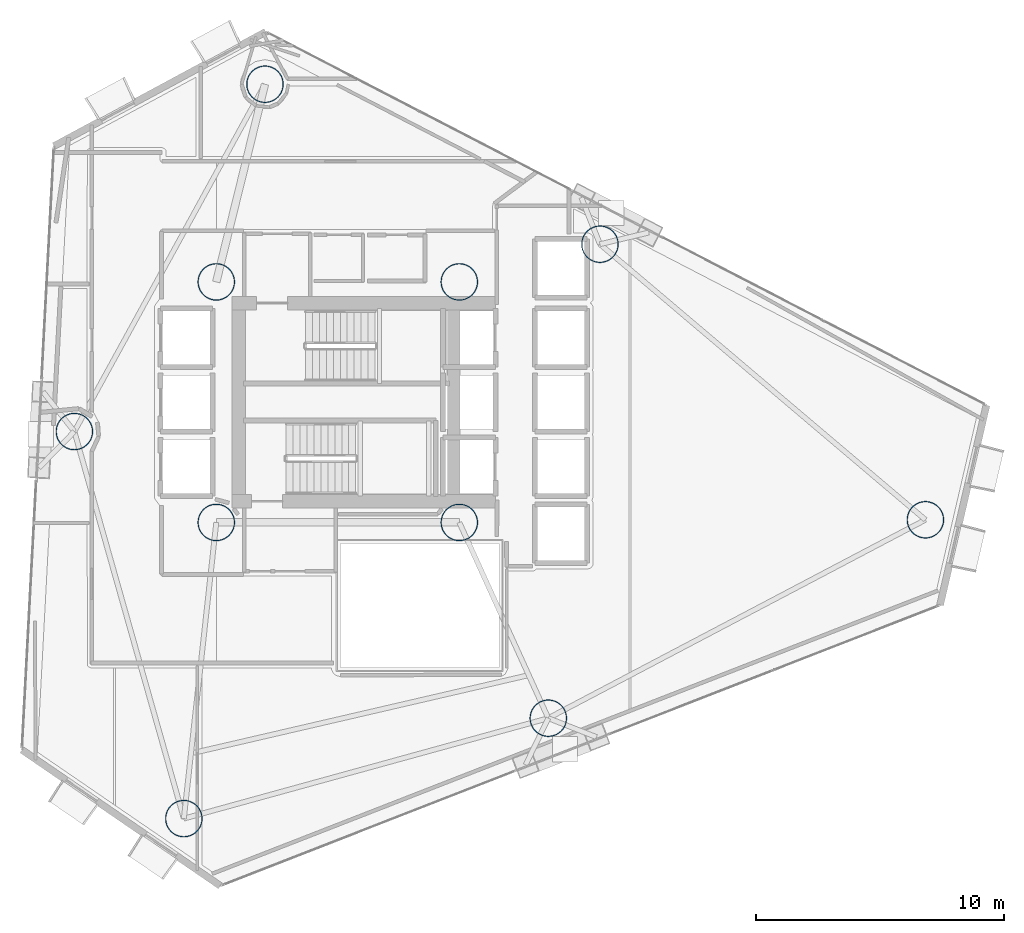
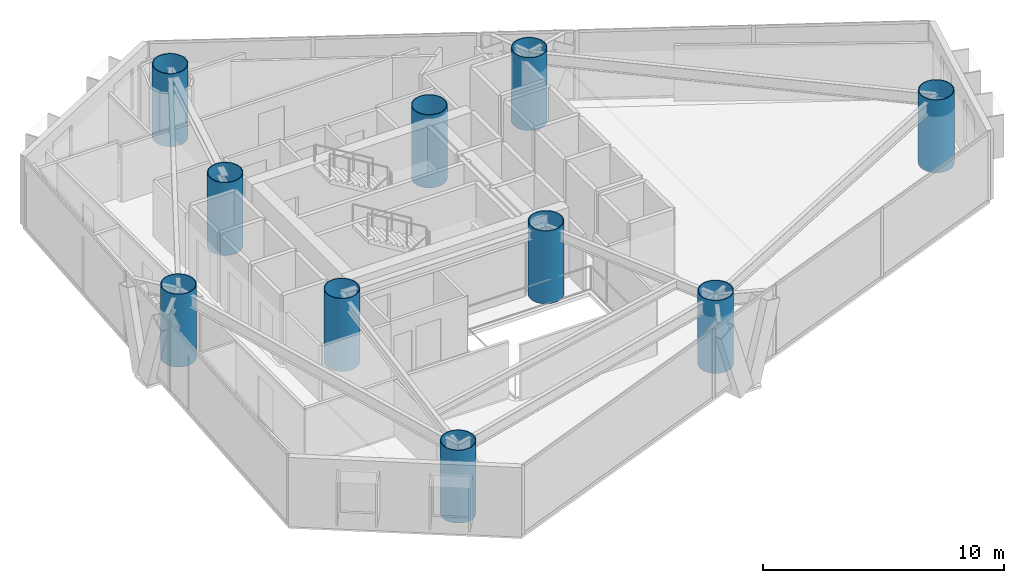
# One storey, part 1 of 21: 10 columns.
"""IFC4 building model written with IfcOpenShell, lengths in metres."""

from ifc_helpers import new_model, si_unit, direction, frame, origin, origin_2d, place, context, subcontext, project, spatial, hollow_circle, extrude, material, material_profile, profile_set, type_object, element, save


model = new_model("IFC4")

# Units and contexts
model_context = context("Model", 3, precision=1e-05, world=origin(), true_north=direction((0.0, 1.0)))
body_context = subcontext(model_context, "Body", "Model", "MODEL_VIEW")
ifc_project = project(units=[si_unit("LENGTHUNIT", "METRE"), si_unit("AREAUNIT", "SQUARE_METRE"), si_unit("VOLUMEUNIT", "CUBIC_METRE"), si_unit("PLANEANGLEUNIT", "RADIAN"), si_unit("MASSUNIT", "GRAM", prefix="KILO")], contexts=[model_context])

# Site, building, storey
site_placement = place(None, origin())
site = spatial("IfcSite", under=ifc_project, at=site_placement, CompositionType="ELEMENT")
building_placement = place(site_placement, origin())
building = spatial("IfcBuilding", under=site, at=building_placement, Name="Qianvela Tower", CompositionType="ELEMENT")
storey_placement = place(building_placement, frame((0.0, 0.0, 131.10009765625)))
storey = spatial("IfcBuildingStorey", under=building, at=storey_placement, Name="L33", CompositionType="ELEMENT", Elevation=131.10009765625)

# Columns
ifc_material = material(Name="Steel Q420GJC", Category="steel")
ifc_material_profile = material_profile(ifc_material, hollow_circle(Radius=0.75, WallThickness=0.035888671875, at=origin_2d()), Name="CFT-1500x36")
ifc_profile_set = profile_set([ifc_material_profile], Name="Steel Q420GJC")
column_type = type_object("IfcColumnType", Name="COL-CFT-1500x36", PredefinedType="COLUMN", material=ifc_profile_set)
for number, where, z_axis, x_axis, name in (
    (1, (28.60009765625, 33.550048828125, 0.0), (0.0, 0.0, 1.0), (1.0, 0.0, 0.0), "L33 Core Corner Mega-Column CC-NW"),
    (2, (28.60009765625, 23.85009765625, 0.0), (0.0, 0.0, 1.0), (1.0, 0.0, 0.0), "L33 Core Corner Mega-Column CC-SW"),
    (3, (38.39990234375, 33.550048828125, 0.0), (0.0, 0.0, 1.0), (1.0, 0.0, 0.0), "L33 Core Corner Mega-Column CC-NE"),
    (4, (38.39990234375, 23.85009765625, 0.0), (0.0, 0.0, 1.0), (1.0, 0.0, 0.0), "L33 Core Corner Mega-Column CC-SE"),
    (5, (57.194091796875, 23.9580078125, 0.0), (0.0, 0.0, 1.0), (1.0, 0.0, 0.0), "L33 Zone Z3 CFT Mega-Column C1"),
    (6, (44.071044921875, 35.070068359375, 0.0), (0.0, 0.0, 1.0), (1.0, 0.0, 0.0), "L33 Zone Z3 CFT Mega-Column C2"),
    (7, (30.56396484375, 41.52099609375, 0.0), (0.0, 0.0, 1.0), (1.0, 0.0, 0.0), "L33 Zone Z3 CFT Mega-Column C3"),
    (8, (22.8779296875, 27.51611328125, 0.0), (0.0, 0.0, 1.0), (1.0, 0.0, 0.0), "L33 Zone Z3 CFT Mega-Column C4"),
    (9, (27.2919921875, 11.908935546875, 0.0), (0.0, 0.0, 1.0), (1.0, 0.0, 0.0), "L33 Zone Z3 CFT Mega-Column C5"),
    (10, (41.988037109375, 15.95703125, 0.0), (0.0, 0.0, 1.0), (1.0, 0.0, 0.0), "L33 Zone Z3 CFT Mega-Column C6"),
):
    element("IfcColumn", number, at=place(storey_placement, frame(where, z_axis=z_axis, x_axis=x_axis)), inside=storey, type_object=column_type, Name=name, PredefinedType="COLUMN", context=body_context, shape_type="SweptSolid", body=[
        extrude(hollow_circle(Radius=0.75, WallThickness=0.035888671875, at=origin_2d()), origin(), (0.0, 0.0, 1.0), 3.699951171875),
    ])

save(model, "model.ifc")
